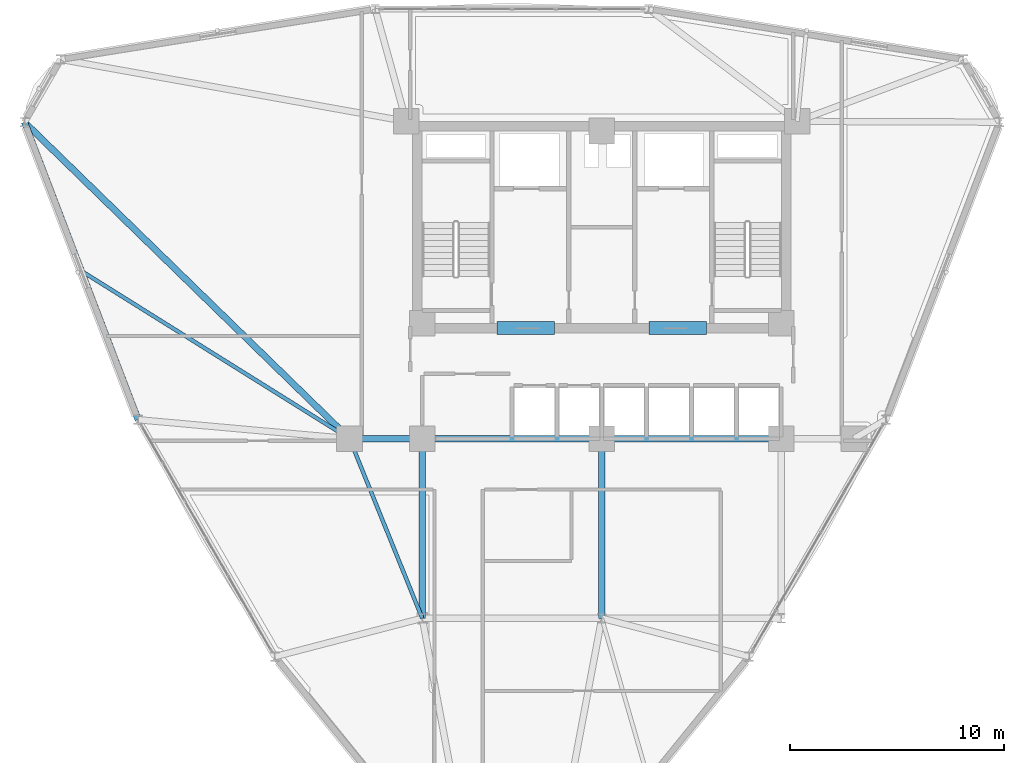
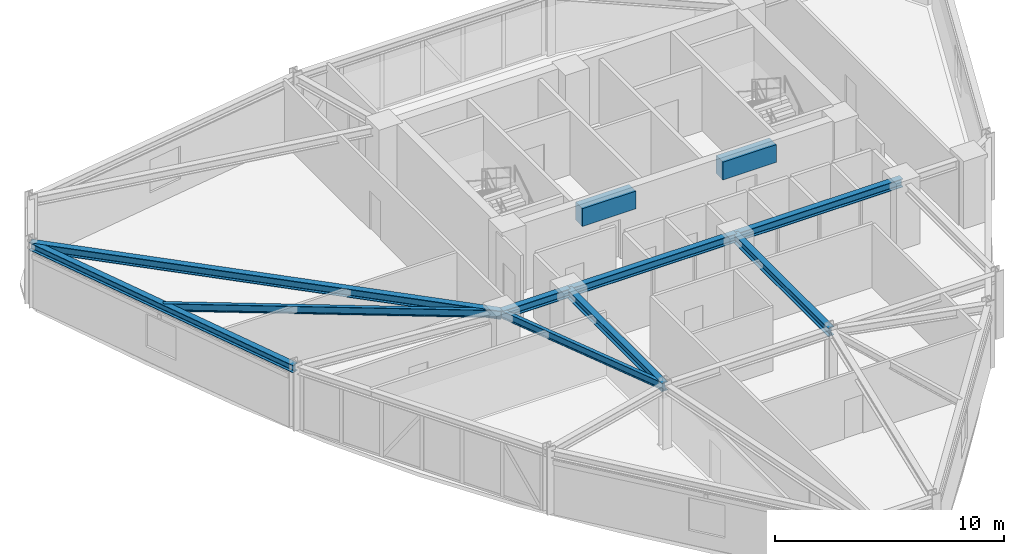
# One storey, part 5 of 15: 11 beams.
"""IFC4 building model written with IfcOpenShell, lengths in metres."""

import ifcopenshell
import ifcopenshell.guid

model = None  # the IFC model being written
_history = None  # IfcOwnerHistory: only IFC2X3 demands one
_inside = {}  # id of a spatial element -> (the spatial element, [elements in it])
_under = {}  # id of a project, library or spatial element -> (it, [spatial elements below it])
_declared = {}  # id of a project -> (the project, [libraries it declares])
_typed = {}  # id of a type object -> (the type object, [elements of that type])
_made_of = {}  # id of a material, layer set ... -> (it, [elements and type objects made of it])


def new_model(schema):
    """Start an empty IFC model of exactly this schema.

    Asked for "IFC4X3", IfcOpenShell would pick the latest addendum, in which some entities
    have other attributes; the version numbers below select the first issue.
    IFC2X3 requires an IfcOwnerHistory on every rooted entity: one is made here for all.
    """
    global model, _history
    if schema == "IFC4X3":
        model = ifcopenshell.file(schema_version=(4, 3, 0, 0))
    else:
        model = ifcopenshell.file(schema=schema)
    _inside.clear()
    _under.clear()
    _declared.clear()
    _typed.clear()
    _made_of.clear()
    _history = None
    if model.schema == "IFC2X3":
        org = make("IfcOrganization", Name="unknown")
        user = make(
            "IfcPersonAndOrganization",
            ThePerson=make("IfcPerson", FamilyName="unknown"),
            TheOrganization=org,
        )
        app = make(
            "IfcApplication",
            ApplicationDeveloper=org,
            Version="unknown",
            ApplicationFullName="unknown",
            ApplicationIdentifier="unknown",
        )
        _history = make(
            "IfcOwnerHistory",
            OwningUser=user,
            OwningApplication=app,
            ChangeAction="ADDED",
            CreationDate=0,
        )
    return model


def make(cls, **values):
    """One entity of the class cls with the attributes given. An attribute that is None is left unset."""
    return model.create_entity(
        cls, **{name: value for name, value in values.items() if value is not None}
    )


def rooted(cls, **values):
    """An entity with a GlobalId (a new one), such as an element, a storey or a relation."""
    return make(cls, GlobalId=ifcopenshell.guid.new(), OwnerHistory=_history, **values)


def si_unit(unit_type, name, prefix=None):
    """IfcSIUnit, for example si_unit("LENGTHUNIT", "METRE", prefix="MILLI")."""
    return make("IfcSIUnit", UnitType=unit_type, Prefix=prefix, Name=name)


def derived_unit(unit_type, elements):
    """IfcDerivedUnit: a product of units, each with its exponent."""
    return make(
        "IfcDerivedUnit",
        Elements=[
            make("IfcDerivedUnitElement", Unit=unit, Exponent=power)
            for unit, power in elements
        ],
        UnitType=unit_type,
    )


def assignment(units):
    """IfcUnitAssignment: the units of a project."""
    return None if units is None else make("IfcUnitAssignment", Units=units)


def point(xyz):
    """IfcCartesianPoint."""
    return None if xyz is None else make("IfcCartesianPoint", Coordinates=xyz)


def direction(xyz):
    """IfcDirection."""
    return None if xyz is None else make("IfcDirection", DirectionRatios=xyz)


def frame(location, z_axis=None, x_axis=None):
    """IfcAxis2Placement3D, a coordinate frame: its origin and axes. An axis left out is left unset."""
    return make(
        "IfcAxis2Placement3D",
        Location=point(location),
        Axis=direction(z_axis),
        RefDirection=direction(x_axis),
    )


def frame_2d(location, x_axis=None):
    """IfcAxis2Placement2D, a coordinate frame in the plane: its origin and x axis."""
    return make(
        "IfcAxis2Placement2D", Location=point(location), RefDirection=direction(x_axis)
    )


def origin():
    """The frame at (0, 0, 0) with its axes left unset."""
    return frame((0.0, 0.0, 0.0))


def origin_2d():
    """The frame at (0, 0) in the plane with its x axis left unset."""
    return frame_2d((0.0, 0.0))


def place(relative_to, where):
    """IfcLocalPlacement: puts the frame where relative to a parent placement (None: the world)."""
    return make(
        "IfcLocalPlacement", PlacementRelTo=relative_to, RelativePlacement=where
    )


def context(
    kind, dimensions, precision=None, world=None, true_north=None, identifier=None
):
    """IfcGeometricRepresentationContext, for example the 3D "Model" context."""
    return make(
        "IfcGeometricRepresentationContext",
        ContextIdentifier=identifier,
        ContextType=kind,
        CoordinateSpaceDimension=dimensions,
        Precision=precision,
        WorldCoordinateSystem=world,
        TrueNorth=true_north,
    )


def subcontext(parent, identifier, kind, view, scale=None):
    """IfcGeometricRepresentationSubContext, for example "Body" below "Model"."""
    return make(
        "IfcGeometricRepresentationSubContext",
        ContextIdentifier=identifier,
        ContextType=kind,
        ParentContext=parent,
        TargetScale=scale,
        TargetView=view,
    )


def project(units=None, contexts=None):
    """IfcProject with its units and contexts."""
    return rooted(
        "IfcProject",
        Name="project",
        RepresentationContexts=contexts,
        UnitsInContext=assignment(units),
    )


def spatial(cls, under=None, at=None, **own):
    """A site, building, storey or space (cls), placed at a placement, below another one or the project."""
    s = rooted(cls, ObjectPlacement=at, **own)
    if under is not None:
        _under.setdefault(under.id(), (under, []))[1].append(s)
    return s


def profile(cls, at=None, kind="AREA", **sizes):
    """A parametric profile (cls). Its sizes go by their IFC names, for example OverallWidth=200.0."""
    return make(cls, ProfileType=kind, Position=at, **sizes)


def rectangle(**sizes):
    """IfcRectangleProfileDef."""
    return profile("IfcRectangleProfileDef", **sizes)


def i_section(**sizes):
    """IfcIShapeProfileDef."""
    return profile("IfcIShapeProfileDef", **sizes)


def extrude(swept, where, along, depth):
    """IfcExtrudedAreaSolid: the profile swept, set in the frame where, extruded along a direction by depth."""
    return make(
        "IfcExtrudedAreaSolid",
        SweptArea=swept,
        Position=where,
        ExtrudedDirection=direction(along),
        Depth=depth,
    )


def shape(context_of_items, identifier, shape_type, items):
    """IfcShapeRepresentation: the items that make up one representation, for example the "Body"."""
    return make(
        "IfcShapeRepresentation",
        ContextOfItems=context_of_items,
        RepresentationIdentifier=identifier,
        RepresentationType=shape_type,
        Items=items,
    )


def source(mapping_origin, context_of_items, identifier, shape_type, items):
    """IfcRepresentationMap: a shape defined once, which mapped items show again and again."""
    return make(
        "IfcRepresentationMap",
        MappingOrigin=mapping_origin,
        MappedRepresentation=shape(context_of_items, identifier, shape_type, items),
    )


def transform(
    local_origin,
    x_axis=None,
    y_axis=None,
    z_axis=None,
    scale=None,
    scale2=None,
    scale3=None,
    uniform=True,
):
    """IfcCartesianTransformationOperator3D, or its non-uniform kind. x_axis, y_axis, z_axis: its Axis1, 2, 3."""
    if uniform:
        return make(
            "IfcCartesianTransformationOperator3D",
            Axis1=direction(x_axis),
            Axis2=direction(y_axis),
            LocalOrigin=point(local_origin),
            Scale=scale,
            Axis3=direction(z_axis),
        )
    return make(
        "IfcCartesianTransformationOperator3DnonUniform",
        Axis1=direction(x_axis),
        Axis2=direction(y_axis),
        LocalOrigin=point(local_origin),
        Scale=scale,
        Axis3=direction(z_axis),
        Scale2=scale2,
        Scale3=scale3,
    )


def mapped(mapping_source, mapping_target):
    """IfcMappedItem: shows the shape of a source again, moved by a transform."""
    return make(
        "IfcMappedItem", MappingSource=mapping_source, MappingTarget=mapping_target
    )


def material(Name=None, Category=None):
    """IfcMaterial."""
    return make("IfcMaterial", Name=Name, Category=Category)


def material_profile(
    of_material, cross_section, Name=None, Category=None, Priority=None
):
    """IfcMaterialProfile: a cross section and its material."""
    return make(
        "IfcMaterialProfile",
        Name=Name,
        Material=of_material,
        Profile=cross_section,
        Priority=Priority,
        Category=Category,
    )


def profile_set(profiles, Name=None, composite=None):
    """IfcMaterialProfileSet."""
    return make(
        "IfcMaterialProfileSet",
        Name=Name,
        MaterialProfiles=profiles,
        CompositeProfile=composite,
    )


def made_of(thing, what):
    """Note that an element or type object is made of a material, layer set ...; save() writes the relation."""
    if what is not None:
        _made_of.setdefault(what.id(), (what, []))[1].append(thing)
    return thing


def type_object(cls, material=None, **own):
    """A type object (cls), such as IfcWallType, which elements share."""
    return made_of(rooted(cls, **own), material)


def element(
    cls,
    number,
    at=None,
    inside=None,
    cuts=None,
    type_object=None,
    material=None,
    context=None,
    identifier="Body",
    shape_type=None,
    held_by="IfcProductDefinitionShape",
    body=None,
    shapes=None,
    **own,
):
    """One element of the class cls, such as IfcWall. Its Tag is "e" and its number.

    at: its placement. inside: the storey or other place that contains it. cuts: it is an
    opening in that element (IfcRelVoidsElement). A single representation is given by context,
    identifier, shape_type and body (its items); several are given by shapes. held_by: the class
    of the entity that holds the representations. save() writes the other relations.
    """
    e = rooted(cls, Tag="e%d" % number, ObjectPlacement=at, **own)
    if body is not None:
        shapes = [shape(context, identifier, shape_type, body)]
    if shapes is not None:
        e.Representation = make(held_by, Representations=shapes)
    if inside is not None:
        _inside.setdefault(inside.id(), (inside, []))[1].append(e)
    if cuts is not None:
        rooted(
            "IfcRelVoidsElement", RelatingBuildingElement=cuts, RelatedOpeningElement=e
        )
    if type_object is not None:
        _typed.setdefault(type_object.id(), (type_object, []))[1].append(e)
    return made_of(e, material)


def aggregate(whole, parts):
    """IfcRelAggregates: a whole, such as a stair, and the parts it consists of."""
    return rooted("IfcRelAggregates", RelatingObject=whole, RelatedObjects=parts)


def save(model, path):
    """Write the relations noted so far, then the file.

    IfcRelAggregates (storeys below a building ...), IfcRelContainedInSpatialStructure (elements
    in a storey), IfcRelDefinesByType, IfcRelAssociatesMaterial and IfcRelDeclares: one each for
    every whole, place, type object, material and project.
    """
    for whole, parts in _under.values():
        aggregate(whole, parts)
    for where, things in _inside.values():
        rooted(
            "IfcRelContainedInSpatialStructure",
            RelatedElements=things,
            RelatingStructure=where,
        )
    for kind, things in _typed.values():
        rooted("IfcRelDefinesByType", RelatedObjects=things, RelatingType=kind)
    for what, things in _made_of.values():
        rooted("IfcRelAssociatesMaterial", RelatedObjects=things, RelatingMaterial=what)
    for by, libraries in _declared.values():
        rooted("IfcRelDeclares", RelatingContext=by, RelatedDefinitions=libraries)
    model.write(path)


model = new_model("IFC4")

# Units and contexts
model_context = context("Model", 3, precision=1e-05, world=origin(), true_north=direction((0.0, 1.0)))
body_context = subcontext(model_context, "Body", "Model", "MODEL_VIEW")
ifc_project = project(units=[si_unit("LENGTHUNIT", "METRE"), si_unit("AREAUNIT", "SQUARE_METRE"), si_unit("VOLUMEUNIT", "CUBIC_METRE"), si_unit("PLANEANGLEUNIT", "RADIAN"), si_unit("MASSUNIT", "GRAM", prefix="KILO"), derived_unit("THERMALTRANSMITTANCEUNIT", [(si_unit("POWERUNIT", "WATT"), 1), (si_unit("LENGTHUNIT", "METRE"), -2), (si_unit("THERMODYNAMICTEMPERATUREUNIT", "KELVIN"), -1)])], contexts=[model_context])

# Site, building, storey
site_placement = place(None, origin())
site = spatial("IfcSite", under=ifc_project, at=site_placement, CompositionType="ELEMENT")
building_placement = place(site_placement, origin())
building = spatial("IfcBuilding", under=site, at=building_placement, Name="Korsvarv Bourse and Concert Hall", CompositionType="ELEMENT")
storey_placement = place(building_placement, frame((0.0, 0.0, 157.800048828125)))
storey = spatial("IfcBuildingStorey", under=building, at=storey_placement, Name="L40", CompositionType="ELEMENT", Elevation=157.800048828125)

# Beams
ifc_material_1 = material(Name="Concrete C55/67", Category="concrete")
ifc_material_profile_1 = material_profile(ifc_material_1, rectangle(XDim=0.60009765625, YDim=0.949951171875, at=origin_2d()), Name="RC-BM 600x950")
ifc_profile_set_1 = profile_set([ifc_material_profile_1], Name="Concrete C55/67")
beam_type_1 = type_object("IfcBeamType", Name="BM-CPL", PredefinedType="LINTEL", material=ifc_profile_set_1)
shared_shape_1 = source(origin(), body_context, "Body", "SweptSolid", [
    extrude(rectangle(XDim=0.60009765625, YDim=0.949951171875, at=origin_2d()), origin(), (0.0, 0.0, 1.0), 2.699951171875),
])
for number, where, z_axis, x_axis, name in (
    (1, (31.10009765625, 37.574951171875, 2.925048828125), (1.0, 0.0, 0.0), (0.0, 1.0, 0.0), "L40 Core Coupling Beam West"),
    (2, (38.199951171875, 37.574951171875, 2.925048828125), (1.0, 0.0, 0.0), (0.0, 1.0, 0.0), "L40 Core Coupling Beam East"),
):
    element("IfcBeam", number, at=place(storey_placement, frame(where, z_axis=z_axis, x_axis=x_axis)), inside=storey, type_object=beam_type_1, Name=name, PredefinedType="LINTEL", context=body_context, shape_type="MappedRepresentation", body=[
        mapped(shared_shape_1, transform((0.0, 0.0, 0.0), scale=1.0)),
    ])
ifc_material_2 = material(Name="Steel S355", Category="steel")
ifc_material_profile_2 = material_profile(ifc_material_2, i_section(OverallWidth=0.179931640625, OverallDepth=0.39990234375, WebThickness=0.008544921875, FlangeThickness=0.013427734375, FilletRadius=0.02099609375, at=origin_2d()), Name="IPE 400")
ifc_profile_set_2 = profile_set([ifc_material_profile_2], Name="Steel S355")
beam_type_2 = type_object("IfcBeamType", Name="BM-IPE400", PredefinedType="JOIST", material=ifc_profile_set_2)
shared_shape_2 = source(origin(), body_context, "Body", "SweptSolid", [
    extrude(i_section(OverallWidth=0.179931640625, OverallDepth=0.39990234375, WebThickness=0.008544921875, FlangeThickness=0.013427734375, FilletRadius=0.02099609375, at=origin_2d()), origin(), (0.0, 0.0, 1.0), 9.06201171875),
])
beam_1_placement = place(storey_placement, frame((24.199951171875, 32.39990234375, 3.199951171875), z_axis=(0.375210394783, -0.926939674222, 0.0), x_axis=(0.926939674222, 0.375210394783, 0.0)))
element("IfcBeam", 3, at=beam_1_placement, inside=storey, type_object=beam_type_2, Name="L40 beam J-05", PredefinedType="JOIST", context=body_context, shape_type="MappedRepresentation", body=[
    mapped(shared_shape_2, transform((0.0, 0.0, 0.0), scale=1.0)),
])
ifc_material_profile_3 = material_profile(ifc_material_2, i_section(OverallWidth=0.300048828125, OverallDepth=0.449951171875, WebThickness=0.013916015625, FlangeThickness=0.02587890625, FilletRadius=0.02099609375, at=origin_2d()), Name="HEB 450")
ifc_profile_set_3 = profile_set([ifc_material_profile_3], Name="Steel S355")
beam_type_3 = type_object("IfcBeamType", Name="BM-HEB450", PredefinedType="SPANDREL", material=ifc_profile_set_3)
shared_shape_3 = source(origin(), body_context, "Body", "SweptSolid", [
    extrude(i_section(OverallWidth=0.300048828125, OverallDepth=0.449951171875, WebThickness=0.013916015625, FlangeThickness=0.02587890625, FilletRadius=0.02099609375, at=origin_2d()), origin(), (0.0, 0.0, 1.0), 3.400146484375),
])
beam_2_placement = place(storey_placement, frame((24.199951171875, 32.39990234375, 3.175048828125), z_axis=(1.0, 0.0, 0.0), x_axis=(0.0, 1.0, 0.0)))
element("IfcBeam", 4, at=beam_2_placement, inside=storey, type_object=beam_type_3, Name="L40 beam B-08", PredefinedType="SPANDREL", context=body_context, shape_type="MappedRepresentation", body=[
    mapped(shared_shape_3, transform((0.0, 0.0, 0.0), scale=1.0)),
])
shared_shape_4 = source(origin(), body_context, "Body", "SweptSolid", [
    extrude(i_section(OverallWidth=0.300048828125, OverallDepth=0.449951171875, WebThickness=0.013916015625, FlangeThickness=0.02587890625, FilletRadius=0.02099609375, at=origin_2d()), origin(), (0.0, 0.0, 1.0), 8.39990234375),
])
for number, where, z_axis, x_axis, name in (
    (5, (27.60009765625, 32.39990234375, 3.175048828125), (1.0, 0.0, 0.0), (0.0, 1.0, 0.0), "L40 beam B-08"),
    (6, (36.0, 32.39990234375, 3.175048828125), (1.0, 0.0, 0.0), (0.0, 1.0, 0.0), "L40 beam B-08"),
    (7, (27.60009765625, 24.0, 3.175048828125), (0.0, 1.0, 0.0), (-1.0, 0.0, 0.0), "L40 beam B-08"),
    (8, (36.0, 24.0, 3.175048828125), (0.0, 1.0, 0.0), (-1.0, 0.0, 0.0), "L40 beam B-08"),
):
    element("IfcBeam", number, at=place(storey_placement, frame(where, z_axis=z_axis, x_axis=x_axis)), inside=storey, type_object=beam_type_3, Name=name, PredefinedType="SPANDREL", context=body_context, shape_type="MappedRepresentation", body=[
        mapped(shared_shape_4, transform((0.0, 0.0, 0.0), scale=1.0)),
    ])
ifc_material_profile_4 = material_profile(ifc_material_2, i_section(OverallWidth=0.300048828125, OverallDepth=0.39990234375, WebThickness=0.013427734375, FlangeThickness=0.02392578125, FilletRadius=0.02099609375, at=origin_2d()), Name="HEB 400")
ifc_profile_set_4 = profile_set([ifc_material_profile_4], Name="Steel S355")
beam_type_4 = type_object("IfcBeamType", Name="BM-HEB400", PredefinedType="SPANDREL", material=ifc_profile_set_4)
shared_shape_5 = source(origin(), body_context, "Body", "SweptSolid", [
    extrude(i_section(OverallWidth=0.300048828125, OverallDepth=0.39990234375, WebThickness=0.013427734375, FlangeThickness=0.02392578125, FilletRadius=0.02099609375, at=origin_2d()), origin(), (0.0, 0.0, 1.0), 14.90478515625),
])
beam_3_placement = place(storey_placement, frame((8.985595703125, 47.2138671875, 3.199951171875), z_axis=(0.356775123781, -0.934190297023, 0.0), x_axis=(0.934190297023, 0.356775123781, 0.0)))
element("IfcBeam", 9, at=beam_3_placement, inside=storey, type_object=beam_type_4, Name="L40 beam B-09", PredefinedType="SPANDREL", context=body_context, shape_type="MappedRepresentation", body=[
    mapped(shared_shape_5, transform((0.0, 0.0, 0.0), scale=1.0)),
])
shared_shape_6 = source(origin(), body_context, "Body", "SweptSolid", [
    extrude(i_section(OverallWidth=0.300048828125, OverallDepth=0.449951171875, WebThickness=0.013916015625, FlangeThickness=0.02587890625, FilletRadius=0.02099609375, at=origin_2d()), origin(), (0.0, 0.0, 1.0), 21.235107421875),
])
beam_4_placement = place(storey_placement, frame((8.985595703125, 47.2138671875, 3.175048828125), z_axis=(0.71647149055, -0.697616372535, 0.0), x_axis=(0.697616372535, 0.71647149055, 0.0)))
element("IfcBeam", 10, at=beam_4_placement, inside=storey, type_object=beam_type_3, Name="L40 beam B-08", PredefinedType="SPANDREL", context=body_context, shape_type="MappedRepresentation", body=[
    mapped(shared_shape_6, transform((0.0, 0.0, 0.0), scale=1.0)),
])
shared_shape_7 = source(origin(), body_context, "Body", "SweptSolid", [
    extrude(i_section(OverallWidth=0.179931640625, OverallDepth=0.39990234375, WebThickness=0.008544921875, FlangeThickness=0.013427734375, FilletRadius=0.02099609375, at=origin_2d()), origin(), (0.0, 0.0, 1.0), 14.80859375),
])
beam_5_placement = place(storey_placement, frame((11.64453125, 40.251953125, 3.199951171875), z_axis=(0.847849151341, -0.530237509585, 0.0), x_axis=(0.530237509585, 0.847849151341, 0.0)))
element("IfcBeam", 11, at=beam_5_placement, inside=storey, type_object=beam_type_2, Name="L40 beam J-05", PredefinedType="JOIST", context=body_context, shape_type="MappedRepresentation", body=[
    mapped(shared_shape_7, transform((0.0, 0.0, 0.0), scale=1.0)),
])

save(model, "model.ifc")
